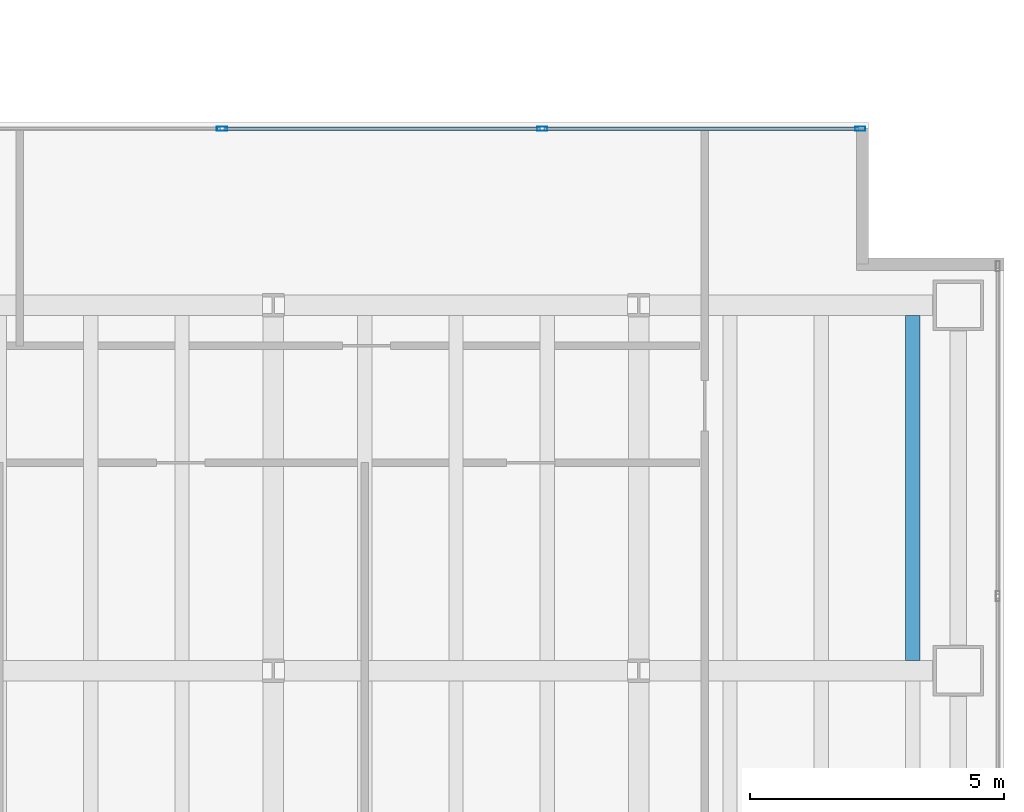
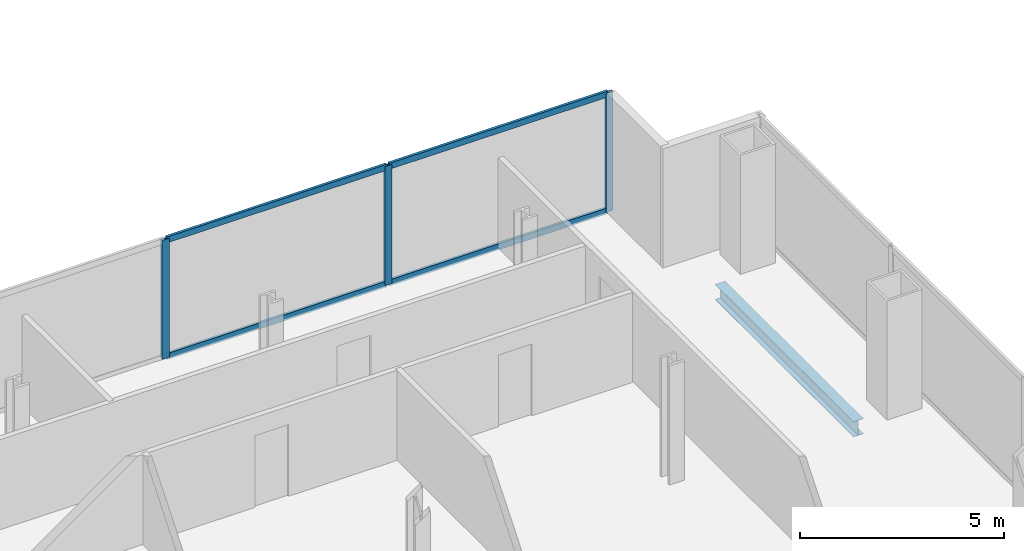
# One storey, part 12 of 23: 7 members, 1 beam, 1 element without a shape of its own.
"""IFC4 building model written with IfcOpenShell, lengths in metres."""

from ifc_helpers import new_model, si_unit, direction, frame, origin, origin_2d, place, context, subcontext, project, spatial, hollow_rectangle, i_section, extrude, material, material_profile, profile_set, type_object, element, aggregate, save


model = new_model("IFC4")

# Units and contexts
model_context = context("Model", 3, precision=1e-05, world=origin(), true_north=direction((0.0, 1.0)))
body_context = subcontext(model_context, "Body", "Model", "MODEL_VIEW")
ifc_project = project(units=[si_unit("LENGTHUNIT", "METRE"), si_unit("AREAUNIT", "SQUARE_METRE"), si_unit("VOLUMEUNIT", "CUBIC_METRE"), si_unit("PLANEANGLEUNIT", "RADIAN"), si_unit("MASSUNIT", "GRAM", prefix="KILO")], contexts=[model_context])

# Site, building, storey
site_placement = place(None, origin())
site = spatial("IfcSite", under=ifc_project, at=site_placement, CompositionType="ELEMENT")
building_placement = place(site_placement, origin())
building = spatial("IfcBuilding", under=site, at=building_placement, Name="Cobrela Telecom Tower", CompositionType="ELEMENT")
storey_placement = place(building_placement, frame((0.0, 0.0, 54.25)))
storey = spatial("IfcBuildingStorey", under=building, at=storey_placement, Name="L13", CompositionType="ELEMENT", Elevation=54.25)

# Beam
ifc_material_1 = material(Name="Steel ASTM A992 Grade 50", Category="steel")
ifc_material_profile_1 = material_profile(ifc_material_1, i_section(OverallWidth=0.281982421875, OverallDepth=0.467041015625, WebThickness=0.01220703125, FlangeThickness=0.01953125, FilletRadius=0.012939453125, at=origin_2d()), Name="W18X86")
ifc_profile_set_1 = profile_set([ifc_material_profile_1], Name="Steel ASTM A992 Grade 50")
beam_type = type_object("IfcBeamType", Name="BM-JOIST-02", PredefinedType="JOIST", material=ifc_profile_set_1)
beam_placement = place(storey_placement, frame((48.60009765625, 14.6044921875, -0.513427734375), z_axis=(0.0, 1.0, 0.0), x_axis=(-1.0, 0.0, 0.0)))
element("IfcBeam", 1, at=beam_placement, inside=storey, type_object=beam_type, Name="L13 Secondary Composite Floor Beam J64", PredefinedType="JOIST", context=body_context, shape_type="SweptSolid", body=[
    extrude(i_section(OverallWidth=0.281982421875, OverallDepth=0.467041015625, WebThickness=0.01220703125, FlangeThickness=0.01953125, FilletRadius=0.012939453125, at=origin_2d()), origin(), (0.0, 0.0, 1.0), 6.791015625),
])

# Curtain wall, members
ifc_material_2 = material(Name="Anodized Bronze Aluminium 6063-T6", Category="aluminium")
curtain_wall_type = type_object("IfcCurtainWallType", Name="CW-SYS-DATA", PredefinedType="USERDEFINED", material=ifc_material_2)
curtain_wall_placement = place(storey_placement, origin())
curtain_wall = element("IfcCurtainWall", 2, at=curtain_wall_placement, inside=storey, type_object=curtain_wall_type, Name="L13 Unitised Bronze Curtain Wall 11", ObjectType="UNITISED CURTAIN WALL", PredefinedType="USERDEFINED")
ifc_material_profile_2 = material_profile(ifc_material_2, hollow_rectangle(XDim=0.080078125, YDim=0.199951171875, WallThickness=0.00390625, at=origin_2d()), Name="ALU 80x200x4")
ifc_profile_set_2 = profile_set([ifc_material_profile_2], Name="Anodized Bronze Aluminium 6063-T6")
member_type_1 = type_object("IfcMemberType", Name="CW-SYS-DATA-MUL", PredefinedType="MULLION", material=ifc_profile_set_2)
member_1_placement = place(storey_placement, frame((34.989990234375, 25.080078125, 0.0), z_axis=(0.0, 0.0, 1.0), x_axis=(0.0, 1.0, 0.0)))
member_1 = element("IfcMember", 3, at=member_1_placement, type_object=member_type_1, Name="CW-DATA mullion 2", PredefinedType="MULLION", context=body_context, shape_type="SweptSolid", body=[
    extrude(hollow_rectangle(XDim=0.080078125, YDim=0.199951171875, WallThickness=0.00390625, at=origin_2d()), origin(), (0.0, 0.0, 1.0), 3.570068359375),
])
member_2_placement = place(storey_placement, frame((41.300048828125, 25.080078125, 0.0), z_axis=(0.0, 0.0, 1.0), x_axis=(0.0, 1.0, 0.0)))
member_2 = element("IfcMember", 4, at=member_2_placement, type_object=member_type_1, Name="CW-DATA mullion 3", PredefinedType="MULLION", context=body_context, shape_type="SweptSolid", body=[
    extrude(hollow_rectangle(XDim=0.080078125, YDim=0.199951171875, WallThickness=0.00390625, at=origin_2d()), origin(), (0.0, 0.0, 1.0), 3.570068359375),
])
member_3_placement = place(storey_placement, frame((47.570068359375, 25.080078125, 0.0), z_axis=(0.0, 0.0, 1.0), x_axis=(0.0, 1.0, 0.0)))
member_3 = element("IfcMember", 5, at=member_3_placement, type_object=member_type_1, Name="CW-DATA mullion 4", PredefinedType="MULLION", context=body_context, shape_type="SweptSolid", body=[
    extrude(hollow_rectangle(XDim=0.080078125, YDim=0.199951171875, WallThickness=0.00390625, at=origin_2d()), origin(), (0.0, 0.0, 1.0), 3.570068359375),
])
ifc_material_profile_3 = material_profile(ifc_material_2, hollow_rectangle(XDim=0.074951171875, YDim=0.179931640625, WallThickness=0.00390625, at=origin_2d()), Name="ALU 75x180x4")
ifc_profile_set_3 = profile_set([ifc_material_profile_3], Name="Anodized Bronze Aluminium 6063-T6")
member_type_2 = type_object("IfcMemberType", Name="CW-SYS-DATA-TRN", PredefinedType="USERDEFINED", material=ifc_profile_set_3)
member_4_placement = place(storey_placement, frame((35.030029296875, 25.080078125, 0.03759765625), z_axis=(1.0, 0.0, 0.0), x_axis=(0.0, 1.0, 0.0)))
member_4 = element("IfcMember", 6, at=member_4_placement, type_object=member_type_2, Name="CW-DATA transom 2.1", ObjectType="TRANSOM", PredefinedType="USERDEFINED", context=body_context, shape_type="SweptSolid", body=[
    extrude(hollow_rectangle(XDim=0.074951171875, YDim=0.179931640625, WallThickness=0.00390625, at=origin_2d()), origin(), (0.0, 0.0, 1.0), 6.22998046875),
])
member_5_placement = place(storey_placement, frame((35.030029296875, 25.080078125, 3.532470703125), z_axis=(1.0, 0.0, 0.0), x_axis=(0.0, 1.0, 0.0)))
member_5 = element("IfcMember", 7, at=member_5_placement, type_object=member_type_2, Name="CW-DATA transom 2.2", ObjectType="TRANSOM", PredefinedType="USERDEFINED", context=body_context, shape_type="SweptSolid", body=[
    extrude(hollow_rectangle(XDim=0.074951171875, YDim=0.179931640625, WallThickness=0.00390625, at=origin_2d()), origin(), (0.0, 0.0, 1.0), 6.22998046875),
])
member_6_placement = place(storey_placement, frame((41.340087890625, 25.080078125, 0.03759765625), z_axis=(1.0, 0.0, 0.0), x_axis=(0.0, 1.0, 0.0)))
member_6 = element("IfcMember", 8, at=member_6_placement, type_object=member_type_2, Name="CW-DATA transom 3.1", ObjectType="TRANSOM", PredefinedType="USERDEFINED", context=body_context, shape_type="SweptSolid", body=[
    extrude(hollow_rectangle(XDim=0.074951171875, YDim=0.179931640625, WallThickness=0.00390625, at=origin_2d()), origin(), (0.0, 0.0, 1.0), 6.18994140625),
])
member_7_placement = place(storey_placement, frame((41.340087890625, 25.080078125, 3.532470703125), z_axis=(1.0, 0.0, 0.0), x_axis=(0.0, 1.0, 0.0)))
member_7 = element("IfcMember", 9, at=member_7_placement, type_object=member_type_2, Name="CW-DATA transom 3.2", ObjectType="TRANSOM", PredefinedType="USERDEFINED", context=body_context, shape_type="SweptSolid", body=[
    extrude(hollow_rectangle(XDim=0.074951171875, YDim=0.179931640625, WallThickness=0.00390625, at=origin_2d()), origin(), (0.0, 0.0, 1.0), 6.18994140625),
])
aggregate(curtain_wall, [member_1, member_2, member_3, member_4, member_5, member_6, member_7])

save(model, "model.ifc")
